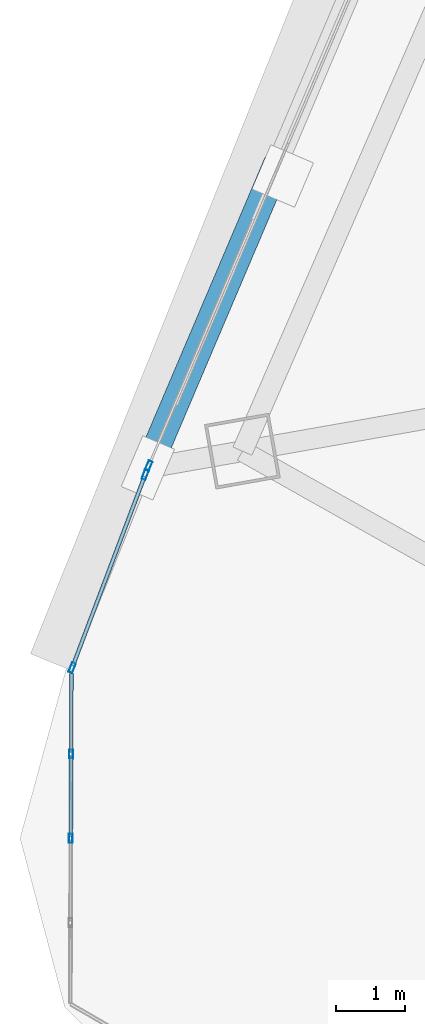
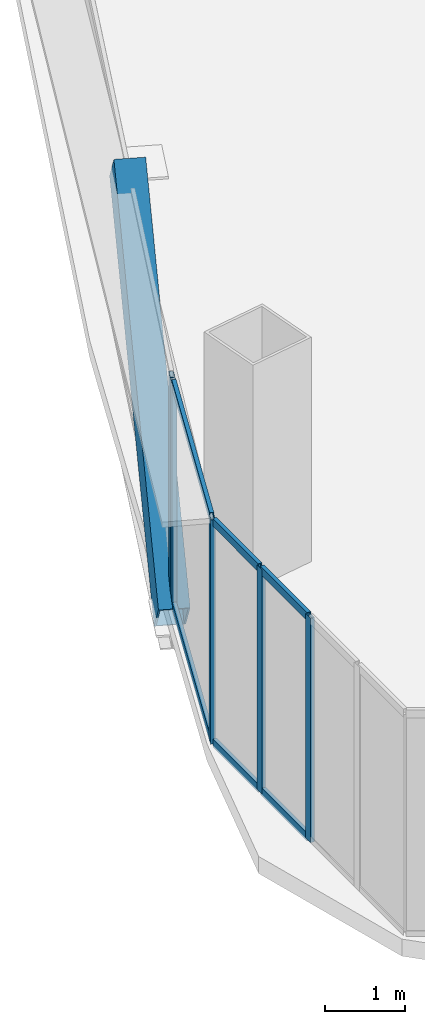
# One storey, part 4 of 40: 12 members, 3 elements without a shape of their own.
"""IFC4 building model written with IfcOpenShell, lengths in metres."""

from ifc_helpers import new_model, si_unit, direction, frame, origin, origin_2d, place, context, subcontext, project, spatial, hollow_rectangle, extrude, source, transform, mapped, material, layer, layer_set, material_profile, profile_set, type_object, element, aggregate, save


model = new_model("IFC4")

# Units and contexts
model_context = context("Model", 3, precision=1e-05, world=origin(), true_north=direction((0.0, 1.0)))
body_context = subcontext(model_context, "Body", "Model", "MODEL_VIEW")
ifc_project = project(units=[si_unit("LENGTHUNIT", "METRE"), si_unit("AREAUNIT", "SQUARE_METRE"), si_unit("VOLUMEUNIT", "CUBIC_METRE"), si_unit("PLANEANGLEUNIT", "RADIAN"), si_unit("MASSUNIT", "GRAM", prefix="KILO"), si_unit("THERMODYNAMICTEMPERATUREUNIT", "KELVIN"), si_unit("POWERUNIT", "WATT")], contexts=[model_context])

# Site, building, storey
site_placement = place(None, origin())
site = spatial("IfcSite", under=ifc_project, at=site_placement, CompositionType="ELEMENT")
building_placement = place(site_placement, origin())
building = spatial("IfcBuilding", under=site, at=building_placement, Name="Yunzhuo Pagoda Commons", CompositionType="ELEMENT")
storey_placement = place(building_placement, frame((0.0, 0.0, 159.27001953125)))
storey = spatial("IfcBuildingStorey", under=building, at=storey_placement, Name="L40", CompositionType="ELEMENT", Elevation=159.27001953125)

# Member
ifc_material_1 = material(Name="Structural steel Q355B", Category="steel")
ifc_material_profile_1 = material_profile(ifc_material_1, hollow_rectangle(XDim=0.39990234375, YDim=0.719970703125, WallThickness=0.02392578125, at=origin_2d()), Name="Structural steel Q355B")
ifc_profile_set_1 = profile_set([ifc_material_profile_1], Name="Structural steel Q355B")
member_type_1 = type_object("IfcMemberType", Name="M-DL2 Brace BOX 720x400x24", PredefinedType="BRACE", material=ifc_profile_set_1)
shared_shape_1 = source(origin(), body_context, "Body", "SweptSolid", [
    extrude(hollow_rectangle(XDim=0.39990234375, YDim=0.719970703125, WallThickness=0.02392578125, at=origin_2d()), origin(), (0.0, 0.0, 1.0), 5.883544921875),
])
member_1_placement = place(storey_placement, frame((9.6298828125, 26.934326171875, -0.260009765625), z_axis=(0.305407668733, 0.717998490772, 0.625463286795), x_axis=(-0.920211701428, 0.391421032336, 0.0)))
element("IfcMember", 1, at=member_1_placement, inside=storey, type_object=member_type_1, Name="L40 facade diamond brace F3.3R", PredefinedType="BRACE", context=body_context, shape_type="MappedRepresentation", body=[
    mapped(shared_shape_1, transform((0.0, 0.0, 0.0), scale=1.0)),
])

# Curtain wall, member
ifc_material_2 = material(Name="Anodized aluminium 6063-T6", Category="aluminium")
ifc_layer_1 = layer(ifc_material_2, 0.14990234375)
ifc_layer_set_1 = layer_set([ifc_layer_1], Name="Anodized aluminium 6063-T6")
curtain_wall_type_1 = type_object("IfcCurtainWallType", Name="CW-MID Mid-Zone Ribbon Curtain Wall", PredefinedType="NOTDEFINED", material=ifc_layer_set_1)
curtain_wall_1_placement = place(storey_placement, origin())
curtain_wall_1 = element("IfcCurtainWall", 2, at=curtain_wall_1_placement, inside=storey, type_object=curtain_wall_type_1, Name="L40 curtain wall CW-L40-F3B4", PredefinedType="NOTDEFINED")
ifc_material_profile_2 = material_profile(ifc_material_2, hollow_rectangle(XDim=0.06005859375, YDim=0.14990234375, WallThickness=0.00390625, at=origin_2d()), Name="Anodized aluminium 6063-T6")
ifc_profile_set_2 = profile_set([ifc_material_profile_2], Name="Anodized aluminium 6063-T6")
member_type_2 = type_object("IfcMemberType", Name="CW-MID-M Mullion RHS 150x60x4", PredefinedType="MULLION", material=ifc_profile_set_2)
shared_shape_2 = source(origin(), body_context, "Body", "SweptSolid", [
    extrude(hollow_rectangle(XDim=0.06005859375, YDim=0.14990234375, WallThickness=0.00390625, at=origin_2d()), origin(), (0.0, 0.0, 1.0), 3.419677734375),
])
member_2_placement = place(storey_placement, frame((9.6416015625, 26.9619140625, 0.000244140625), z_axis=(0.0, 0.0, 1.0), x_axis=(0.92021678471, -0.391409081572, 0.0)))
member_2 = element("IfcMember", 3, at=member_2_placement, type_object=member_type_2, Name="CW mullion 2", PredefinedType="MULLION", context=body_context, shape_type="MappedRepresentation", body=[
    mapped(shared_shape_2, transform((0.0, 0.0, 0.0), scale=1.0)),
])
aggregate(curtain_wall_1, [member_2])

# Curtain wall, members
curtain_wall_2_placement = place(storey_placement, origin())
curtain_wall_2 = element("IfcCurtainWall", 4, at=curtain_wall_2_placement, inside=storey, type_object=curtain_wall_type_1, Name="L40 curtain wall CW-L40-F3B5", PredefinedType="NOTDEFINED")
member_3_placement = place(storey_placement, frame((9.5927734375, 26.836181640625, 0.000244140625), z_axis=(0.0, 0.0, 1.0), x_axis=(0.935246751482, -0.35399648846, 0.0)))
member_3 = element("IfcMember", 5, at=member_3_placement, type_object=member_type_2, Name="CW mullion 1", PredefinedType="MULLION", context=body_context, shape_type="MappedRepresentation", body=[
    mapped(shared_shape_2, transform((0.0, 0.0, 0.0), scale=1.0)),
])
member_4_placement = place(storey_placement, frame((8.53173828125, 24.032958984375, 0.000244140625), z_axis=(0.0, 0.0, 1.0), x_axis=(0.935246751482, -0.35399648846, 0.0)))
member_4 = element("IfcMember", 6, at=member_4_placement, type_object=member_type_2, Name="CW mullion 2", PredefinedType="MULLION", context=body_context, shape_type="MappedRepresentation", body=[
    mapped(shared_shape_2, transform((0.0, 0.0, 0.0), scale=1.0)),
])
ifc_material_profile_3 = material_profile(ifc_material_2, hollow_rectangle(XDim=0.054931640625, YDim=0.1298828125, WallThickness=0.00341796875, at=origin_2d()), Name="Anodized aluminium 6063-T6")
ifc_profile_set_3 = profile_set([ifc_material_profile_3], Name="Anodized aluminium 6063-T6")
member_type_3 = type_object("IfcMemberType", Name="CW-MID-T Transom RHS 130x55x3.5", PredefinedType="USERDEFINED", material=ifc_profile_set_3)
shared_shape_3 = source(origin(), body_context, "Body", "SweptSolid", [
    extrude(hollow_rectangle(XDim=0.054931640625, YDim=0.1298828125, WallThickness=0.00341796875, at=origin_2d()), origin(), (0.0, 0.0, 1.0), 2.9375),
])
member_5_placement = place(storey_placement, frame((9.58203125, 26.808349609375, 0.027587890625), z_axis=(-0.353972658674, -0.935255770852, 0.0), x_axis=(0.935255770852, -0.353972658674, 0.0)))
member_5 = element("IfcMember", 7, at=member_5_placement, type_object=member_type_3, Name="CW transom 1.1", ObjectType="TRANSOM", PredefinedType="USERDEFINED", context=body_context, shape_type="MappedRepresentation", body=[
    mapped(shared_shape_3, transform((0.0, 0.0, 0.0), scale=1.0)),
])
member_6_placement = place(storey_placement, frame((9.58203125, 26.808349609375, 3.392578125), z_axis=(-0.353972658674, -0.935255770852, 0.0), x_axis=(0.935255770852, -0.353972658674, 0.0)))
member_6 = element("IfcMember", 8, at=member_6_placement, type_object=member_type_3, Name="CW transom 1.2", ObjectType="TRANSOM", PredefinedType="USERDEFINED", context=body_context, shape_type="MappedRepresentation", body=[
    mapped(shared_shape_3, transform((0.0, 0.0, 0.0), scale=1.0)),
])
aggregate(curtain_wall_2, [member_3, member_4, member_5, member_6])

ifc_layer_2 = layer(ifc_material_2, 0.1298828125)
ifc_layer_set_2 = layer_set([ifc_layer_2], Name="Anodized aluminium 6063-T6")
curtain_wall_type_2 = type_object("IfcCurtainWallType", Name="CW-VTX Rounded Corner Curtain Wall", PredefinedType="NOTDEFINED", material=ifc_layer_set_2)
curtain_wall_3_placement = place(storey_placement, origin())
curtain_wall_3 = element("IfcCurtainWall", 9, at=curtain_wall_3_placement, inside=storey, type_object=curtain_wall_type_2, Name="L40 curtain wall CW-L40-VTX1S1", PredefinedType="NOTDEFINED")
ifc_material_profile_4 = material_profile(ifc_material_2, hollow_rectangle(XDim=0.054931640625, YDim=0.1201171875, WallThickness=0.00341796875, at=origin_2d()), Name="Anodized aluminium 6063-T6")
ifc_profile_set_4 = profile_set([ifc_material_profile_4], Name="Anodized aluminium 6063-T6")
member_type_4 = type_object("IfcMemberType", Name="CW-VTX-T Transom RHS 120x55x3.5", PredefinedType="USERDEFINED", material=ifc_profile_set_4)
shared_shape_4 = source(origin(), body_context, "Body", "SweptSolid", [
    extrude(hollow_rectangle(XDim=0.054931640625, YDim=0.1201171875, WallThickness=0.00341796875, at=origin_2d()), origin(), (0.0, 0.0, 1.0), 1.141845703125),
])
member_7_placement = place(storey_placement, frame((8.520751953125, 23.94970703125, 0.027587890625), z_axis=(-0.003634784627, -0.999993394149, 0.0), x_axis=(0.999993394149, -0.003634784627, 0.0)))
member_7 = element("IfcMember", 10, at=member_7_placement, type_object=member_type_4, Name="CW transom 1.1", ObjectType="TRANSOM", PredefinedType="USERDEFINED", context=body_context, shape_type="MappedRepresentation", body=[
    mapped(shared_shape_4, transform((0.0, 0.0, 0.0), scale=1.0)),
])
member_8_placement = place(storey_placement, frame((8.520751953125, 23.94970703125, 3.392578125), z_axis=(-0.003634784627, -0.999993394149, 0.0), x_axis=(0.999993394149, -0.003634784627, 0.0)))
member_8 = element("IfcMember", 11, at=member_8_placement, type_object=member_type_4, Name="CW transom 1.2", ObjectType="TRANSOM", PredefinedType="USERDEFINED", context=body_context, shape_type="MappedRepresentation", body=[
    mapped(shared_shape_4, transform((0.0, 0.0, 0.0), scale=1.0)),
])
shared_shape_5 = source(origin(), body_context, "Body", "SweptSolid", [
    extrude(hollow_rectangle(XDim=0.054931640625, YDim=0.1201171875, WallThickness=0.00341796875, at=origin_2d()), origin(), (0.0, 0.0, 1.0), 1.16943359375),
])
member_9_placement = place(storey_placement, frame((8.5166015625, 22.7529296875, 0.027587890625), z_axis=(-0.003757802278, -0.999992939436, 0.0), x_axis=(0.999992939436, -0.003757802278, 0.0)))
member_9 = element("IfcMember", 12, at=member_9_placement, type_object=member_type_4, Name="CW transom 2.1", ObjectType="TRANSOM", PredefinedType="USERDEFINED", context=body_context, shape_type="MappedRepresentation", body=[
    mapped(shared_shape_5, transform((0.0, 0.0, 0.0), scale=1.0)),
])
member_10_placement = place(storey_placement, frame((8.5166015625, 22.7529296875, 3.392578125), z_axis=(-0.003757802278, -0.999992939436, 0.0), x_axis=(0.999992939436, -0.003757802278, 0.0)))
member_10 = element("IfcMember", 13, at=member_10_placement, type_object=member_type_4, Name="CW transom 2.2", ObjectType="TRANSOM", PredefinedType="USERDEFINED", context=body_context, shape_type="MappedRepresentation", body=[
    mapped(shared_shape_5, transform((0.0, 0.0, 0.0), scale=1.0)),
])
ifc_material_profile_5 = material_profile(ifc_material_2, hollow_rectangle(XDim=0.054931640625, YDim=0.1298828125, WallThickness=0.00341796875, at=origin_2d()), Name="Anodized aluminium 6063-T6")
ifc_profile_set_5 = profile_set([ifc_material_profile_5], Name="Anodized aluminium 6063-T6")
member_type_5 = type_object("IfcMemberType", Name="CW-VTX-M Mullion RHS 130x55x3.5", PredefinedType="MULLION", material=ifc_profile_set_5)
shared_shape_6 = source(origin(), body_context, "Body", "SweptSolid", [
    extrude(hollow_rectangle(XDim=0.054931640625, YDim=0.1298828125, WallThickness=0.00341796875, at=origin_2d()), origin(), (0.0, 0.0, 1.0), 3.419677734375),
])
member_11_placement = place(storey_placement, frame((8.5166015625, 22.780517578125, 0.000244140625), z_axis=(0.0, 0.0, 1.0), x_axis=(0.999993542566, -0.00359372042, 0.0)))
member_11 = element("IfcMember", 14, at=member_11_placement, type_object=member_type_5, Name="CW mullion 2", PredefinedType="MULLION", context=body_context, shape_type="MappedRepresentation", body=[
    mapped(shared_shape_6, transform((0.0, 0.0, 0.0), scale=1.0)),
])
member_12_placement = place(storey_placement, frame((8.51220703125, 21.55615234375, 0.000244140625), z_axis=(0.0, 0.0, 1.0), x_axis=(0.999993542566, -0.00359372042, 0.0)))
member_12 = element("IfcMember", 15, at=member_12_placement, type_object=member_type_5, Name="CW mullion 3", PredefinedType="MULLION", context=body_context, shape_type="MappedRepresentation", body=[
    mapped(shared_shape_6, transform((0.0, 0.0, 0.0), scale=1.0)),
])
aggregate(curtain_wall_3, [member_11, member_12, member_7, member_8, member_9, member_10])

save(model, "model.ifc")
